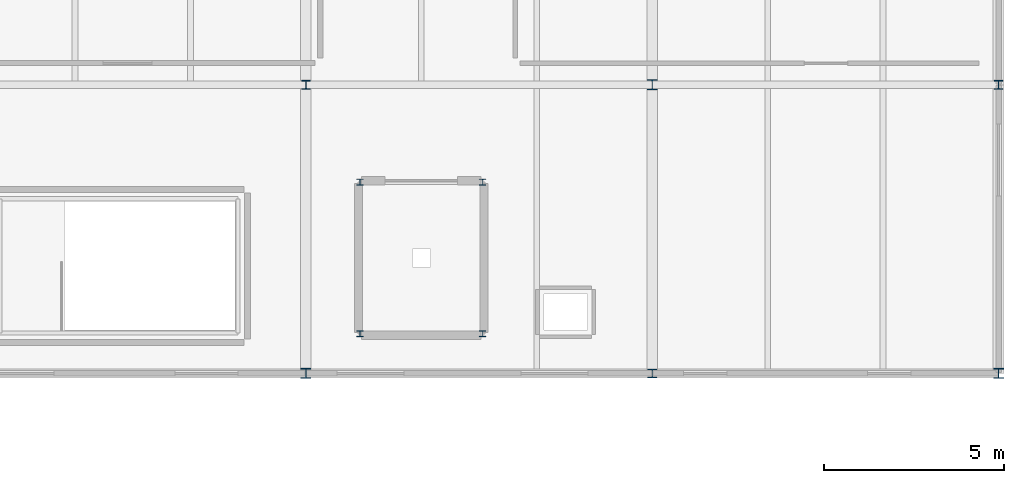
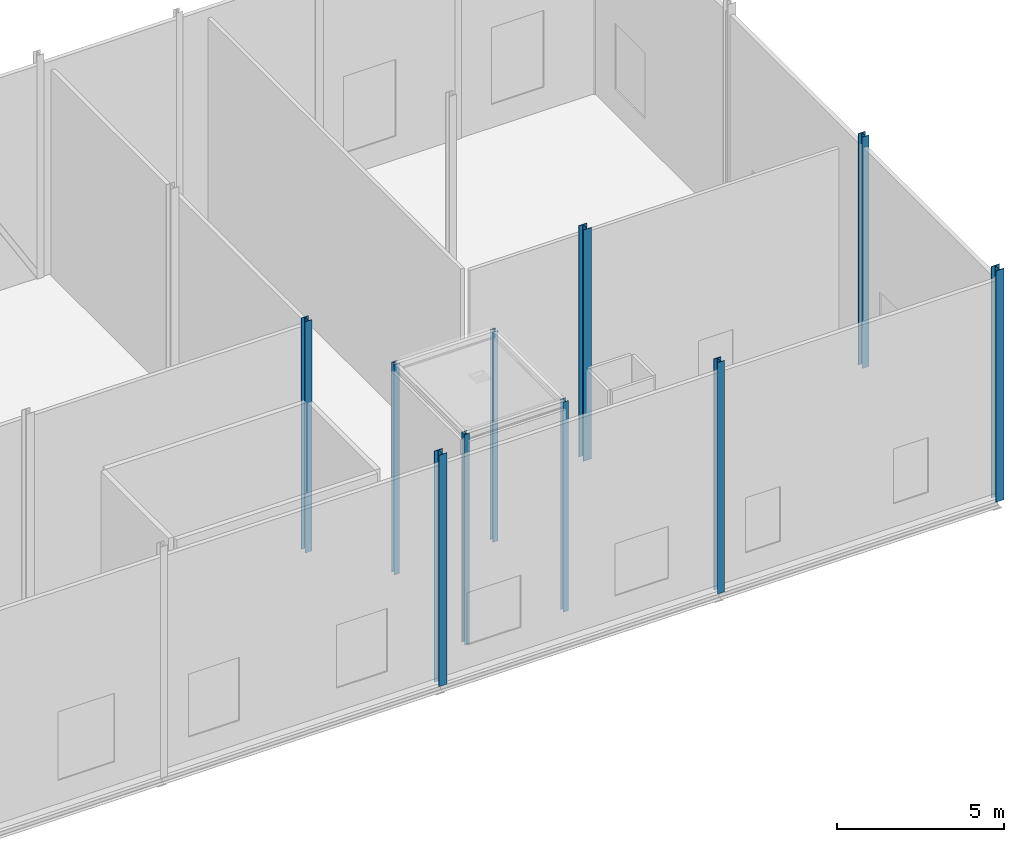
# One storey, part 13 of 73: 10 columns.
"""IFC4 building model written with IfcOpenShell, lengths in metres."""

from ifc_helpers import new_model, si_unit, direction, frame, origin, origin_2d, place, context, subcontext, project, spatial, i_section, extrude, material, material_profile, profile_set, type_object, element, save


model = new_model("IFC4")

# Units and contexts
model_context = context("Model", 3, precision=1e-05, world=origin(), true_north=direction((0.0, 1.0)))
body_context = subcontext(model_context, "Body", "Model", "MODEL_VIEW")
ifc_project = project(units=[si_unit("LENGTHUNIT", "METRE"), si_unit("AREAUNIT", "SQUARE_METRE"), si_unit("VOLUMEUNIT", "CUBIC_METRE"), si_unit("PLANEANGLEUNIT", "RADIAN"), si_unit("MASSUNIT", "GRAM", prefix="KILO")], contexts=[model_context])

# Site, building, storey
site_placement = place(None, origin())
site = spatial("IfcSite", under=ifc_project, at=site_placement, CompositionType="ELEMENT")
building_placement = place(site_placement, origin())
building = spatial("IfcBuilding", under=site, at=building_placement, Name="Alderhovde Museum", CompositionType="ELEMENT")
storey_placement = place(building_placement, frame((0.0, 0.0, 17.39990234375)))
storey = spatial("IfcBuildingStorey", under=building, at=storey_placement, Name="L04", CompositionType="ELEMENT", Elevation=17.39990234375)

# Columns
ifc_material_1 = material(Name="Steel S355J2", Category="steel")
ifc_material_profile_1 = material_profile(ifc_material_1, i_section(OverallWidth=0.179931640625, OverallDepth=0.1708984375, WebThickness=0.006103515625, FlangeThickness=0.009521484375, FilletRadius=0.014892578125, at=origin_2d()), Name="HEA 180")
ifc_profile_set_1 = profile_set([ifc_material_profile_1], Name="Steel S355J2")
column_type_1 = type_object("IfcColumnType", Name="COL-HEA180", PredefinedType="COLUMN", material=ifc_profile_set_1)
for number, where, z_axis, x_axis, name in (
    (1, (135.89990234375, 73.10009765625, 0.0), (0.0, 0.0, 1.0), (1.0, 0.0, 0.0), "L04 Lift GL-01 Shaft Column 1"),
    (2, (139.300048828125, 73.10009765625, 0.0), (0.0, 0.0, 1.0), (1.0, 0.0, 0.0), "L04 Lift GL-01 Shaft Column 2"),
    (3, (139.300048828125, 77.300048828125, 0.0), (0.0, 0.0, 1.0), (1.0, 0.0, 0.0), "L04 Lift GL-01 Shaft Column 3"),
    (4, (135.89990234375, 77.300048828125, 0.0), (0.0, 0.0, 1.0), (1.0, 0.0, 0.0), "L04 Lift GL-01 Shaft Column 4"),
):
    element("IfcColumn", number, at=place(storey_placement, frame(where, z_axis=z_axis, x_axis=x_axis)), inside=storey, type_object=column_type_1, Name=name, PredefinedType="COLUMN", context=body_context, shape_type="SweptSolid", body=[
        extrude(i_section(OverallWidth=0.179931640625, OverallDepth=0.1708984375, WebThickness=0.006103515625, FlangeThickness=0.009521484375, FilletRadius=0.014892578125, at=origin_2d()), origin(), (0.0, 0.0, 1.0), 7.66015625),
    ])
ifc_material_2 = material(Name="Steel S355J2", Category="steel")
ifc_material_profile_2 = material_profile(ifc_material_2, i_section(OverallWidth=0.239990234375, OverallDepth=0.239990234375, WebThickness=0.010009765625, FlangeThickness=0.01708984375, FilletRadius=0.02099609375, at=origin_2d()), Name="HEB 240")
ifc_profile_set_2 = profile_set([ifc_material_profile_2], Name="Steel S355J2")
column_type_2 = type_object("IfcColumnType", Name="COL-HEB240", PredefinedType="COLUMN", material=ifc_profile_set_2)
for number, where, z_axis, x_axis, name in (
    (5, (134.39990234375, 80.0, -0.27978515625), (0.0, 0.0, 1.0), (1.0, 0.0, 0.0), "L04 Column (134.4, 80.0)"),
    (6, (144.0, 72.0, -0.27978515625), (0.0, 0.0, 1.0), (1.0, 0.0, 0.0), "L04 Column (144.0, 72.0)"),
    (7, (153.60009765625, 80.0, -0.27978515625), (0.0, 0.0, 1.0), (1.0, 0.0, 0.0), "L04 Column (153.6, 80.0)"),
):
    element("IfcColumn", number, at=place(storey_placement, frame(where, z_axis=z_axis, x_axis=x_axis)), inside=storey, type_object=column_type_2, Name=name, PredefinedType="COLUMN", context=body_context, shape_type="SweptSolid", body=[
        extrude(i_section(OverallWidth=0.239990234375, OverallDepth=0.239990234375, WebThickness=0.010009765625, FlangeThickness=0.01708984375, FilletRadius=0.02099609375, at=origin_2d()), origin(), (0.0, 0.0, 1.0), 8.429931640625),
    ])
ifc_material_3 = material(Name="Steel S355J2", Category="steel")
ifc_material_profile_3 = material_profile(ifc_material_3, i_section(OverallWidth=0.280029296875, OverallDepth=0.280029296875, WebThickness=0.010498046875, FlangeThickness=0.01806640625, FilletRadius=0.02392578125, at=origin_2d()), Name="HEB 280")
ifc_profile_set_3 = profile_set([ifc_material_profile_3], Name="Steel S355J2")
column_type_3 = type_object("IfcColumnType", Name="COL-HEB280", PredefinedType="COLUMN", material=ifc_profile_set_3)
for number, where, z_axis, x_axis, name in (
    (8, (134.39990234375, 72.0, -0.27978515625), (0.0, 0.0, 1.0), (1.0, 0.0, 0.0), "L04 Column (134.4, 72.0)"),
    (9, (144.0, 80.0, -0.27978515625), (0.0, 0.0, 1.0), (1.0, 0.0, 0.0), "L04 Column (144.0, 80.0)"),
    (10, (153.60009765625, 72.0, -0.27978515625), (0.0, 0.0, 1.0), (1.0, 0.0, 0.0), "L04 Column (153.6, 72.0)"),
):
    element("IfcColumn", number, at=place(storey_placement, frame(where, z_axis=z_axis, x_axis=x_axis)), inside=storey, type_object=column_type_3, Name=name, PredefinedType="COLUMN", context=body_context, shape_type="SweptSolid", body=[
        extrude(i_section(OverallWidth=0.280029296875, OverallDepth=0.280029296875, WebThickness=0.010498046875, FlangeThickness=0.01806640625, FilletRadius=0.02392578125, at=origin_2d()), origin(), (0.0, 0.0, 1.0), 8.429931640625),
    ])

save(model, "model.ifc")
